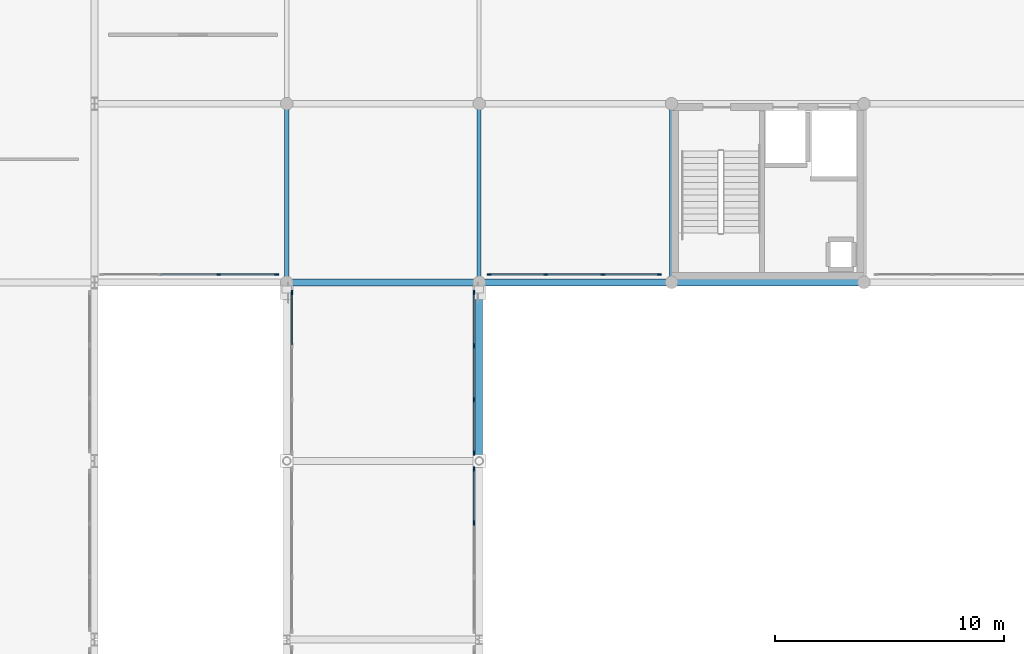
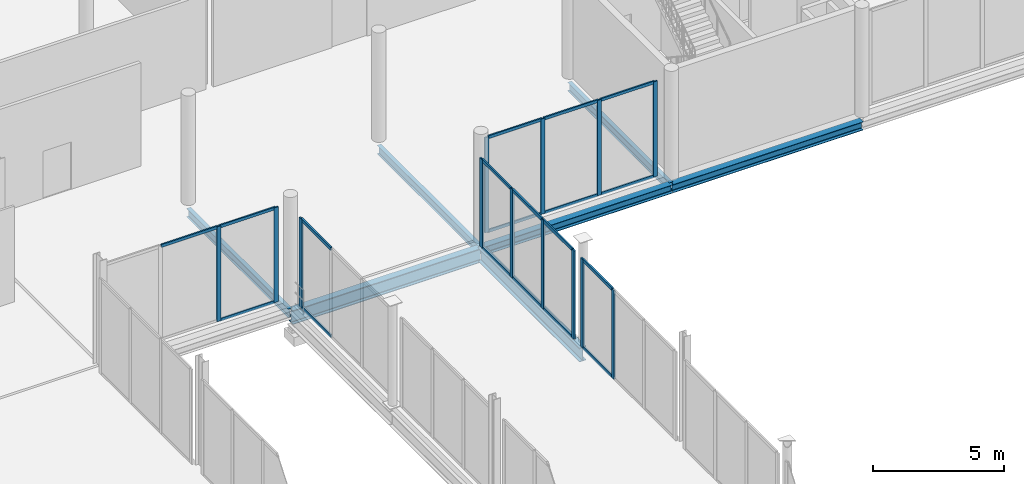
# One storey, part 47 of 105: 32 members, 7 beams, 5 elements without a shape of their own.
"""IFC4 building model written with IfcOpenShell, lengths in metres."""

from ifc_helpers import new_model, si_unit, direction, frame, origin, origin_2d, place, context, subcontext, project, spatial, rectangle, i_section, extrude, material, material_profile, profile_set, type_object, element, aggregate, save


model = new_model("IFC4")

# Units and contexts
model_context = context("Model", 3, precision=1e-05, world=origin(), true_north=direction((0.0, 1.0)))
body_context = subcontext(model_context, "Body", "Model", "MODEL_VIEW")
ifc_project = project(units=[si_unit("LENGTHUNIT", "METRE"), si_unit("AREAUNIT", "SQUARE_METRE"), si_unit("VOLUMEUNIT", "CUBIC_METRE"), si_unit("PLANEANGLEUNIT", "RADIAN"), si_unit("MASSUNIT", "GRAM", prefix="KILO")], contexts=[model_context])

# Site, building, storey
site_placement = place(None, origin())
site = spatial("IfcSite", under=ifc_project, at=site_placement, CompositionType="ELEMENT")
building_placement = place(site_placement, origin())
building = spatial("IfcBuilding", under=site, at=building_placement, Name="Nabrawat Pavilion Hospital", CompositionType="ELEMENT")
storey_placement = place(building_placement, frame((0.0, 0.0, 5.10009765625)))
storey = spatial("IfcBuildingStorey", under=building, at=storey_placement, Name="L01", CompositionType="ELEMENT", Elevation=5.10009765625)

# Beams
ifc_material_1 = material(Name="Steel S355", Category="steel")
ifc_material_profile_1 = material_profile(ifc_material_1, i_section(OverallWidth=0.300048828125, OverallDepth=0.64990234375, WebThickness=0.01611328125, FlangeThickness=0.031005859375, FilletRadius=0.027099609375, at=origin_2d()), Name="HEB 650")
ifc_profile_set_1 = profile_set([ifc_material_profile_1], Name="Steel S355")
beam_type_1 = type_object("IfcBeamType", Name="Courtyard Link Bridge Edge Girder HEB 650", PredefinedType="USERDEFINED", material=ifc_profile_set_1)
beam_1_placement = place(storey_placement, frame((67.219970703125, 85.800048828125, -0.614990234375), z_axis=(1.0, 0.0, 0.0), x_axis=(0.0, 1.0, 0.0)))
element("IfcBeam", 1, at=beam_1_placement, inside=storey, type_object=beam_type_1, Name="L01 Courtyard Link Bridge Girder 607", ObjectType="GIRDER", PredefinedType="USERDEFINED", context=body_context, shape_type="SweptSolid", body=[
    extrude(i_section(OverallWidth=0.300048828125, OverallDepth=0.64990234375, WebThickness=0.01611328125, FlangeThickness=0.031005859375, FilletRadius=0.027099609375, at=origin_2d()), origin(), (0.0, 0.0, 1.0), 8.360107421875),
])
beam_2_placement = place(storey_placement, frame((75.60009765625, 78.02001953125, -0.614990234375), z_axis=(0.0, 1.0, 0.0), x_axis=(-1.0, 0.0, 0.0)))
element("IfcBeam", 2, at=beam_2_placement, inside=storey, type_object=beam_type_1, Name="L01 Courtyard Link Bridge Edge Girder 773", ObjectType="GIRDER", PredefinedType="USERDEFINED", context=body_context, shape_type="SweptSolid", body=[
    extrude(i_section(OverallWidth=0.300048828125, OverallDepth=0.64990234375, WebThickness=0.01611328125, FlangeThickness=0.031005859375, FilletRadius=0.027099609375, at=origin_2d()), origin(), (0.0, 0.0, 1.0), 7.760009765625),
])

# Curtain wall, member
ifc_material_2 = material(Name="Anodised Aluminium", Category="aluminium")
curtain_wall_type_1 = type_object("IfcCurtainWallType", Name="Courtyard Link Bridge Glazed Curtain Wall", PredefinedType="USERDEFINED", material=ifc_material_2)
curtain_wall_1_placement = place(storey_placement, origin())
curtain_wall_1 = element("IfcCurtainWall", 3, at=curtain_wall_1_placement, inside=storey, type_object=curtain_wall_type_1, Name="L01 Courtyard Link Bridge Glazed Curtain Wall 057", ObjectType="CURTAIN WALL", PredefinedType="USERDEFINED")
ifc_material_profile_2 = material_profile(ifc_material_2, rectangle(XDim=0.070068359375, YDim=0.199951171875, at=origin_2d()), Name="CWM 70x200")
ifc_profile_set_2 = profile_set([ifc_material_profile_2], Name="Anodised Aluminium")
member_type_1 = type_object("IfcMemberType", Name="Courtyard Link Bridge Glazed Curtain Wall Mullion CWM 70x200", PredefinedType="MULLION", material=ifc_profile_set_2)
member_1_placement = place(storey_placement, frame((67.419921875, 85.35009765625, 0.0), z_axis=(0.0, 0.0, 1.0), x_axis=(-1.0, 0.0, 0.0)))
member_1 = element("IfcMember", 4, at=member_1_placement, type_object=member_type_1, Name="CW-BRG-01 mullion 4", PredefinedType="MULLION", context=body_context, shape_type="SweptSolid", body=[
    extrude(rectangle(XDim=0.070068359375, YDim=0.199951171875, at=origin_2d()), origin(), (0.0, 0.0, 1.0), 4.139892578125),
])

# Curtain wall, members
curtain_wall_2_placement = place(storey_placement, origin())
curtain_wall_2 = element("IfcCurtainWall", 5, at=curtain_wall_2_placement, inside=storey, type_object=curtain_wall_type_1, Name="L01 Courtyard Link Bridge Glazed Curtain Wall 062", ObjectType="CURTAIN WALL", PredefinedType="USERDEFINED")
member_2_placement = place(storey_placement, frame((75.3798828125, 75.301513671875, 0.0), z_axis=(0.0, 0.0, 1.0), x_axis=(-1.0, 0.0, 0.0)))
member_2 = element("IfcMember", 6, at=member_2_placement, type_object=member_type_1, Name="CW-BRG-01 mullion 3", PredefinedType="MULLION", context=body_context, shape_type="SweptSolid", body=[
    extrude(rectangle(XDim=0.070068359375, YDim=0.199951171875, at=origin_2d()), origin(), (0.0, 0.0, 1.0), 4.139892578125),
])
member_3_placement = place(storey_placement, frame((75.3798828125, 77.647216796875, 0.0), z_axis=(0.0, 0.0, 1.0), x_axis=(-1.0, 0.0, 0.0)))
member_3 = element("IfcMember", 7, at=member_3_placement, type_object=member_type_1, Name="CW-BRG-01 mullion 4", PredefinedType="MULLION", context=body_context, shape_type="SweptSolid", body=[
    extrude(rectangle(XDim=0.070068359375, YDim=0.199951171875, at=origin_2d()), origin(), (0.0, 0.0, 1.0), 4.139892578125),
])

curtain_wall_3_placement = place(storey_placement, origin())
curtain_wall_3 = element("IfcCurtainWall", 8, at=curtain_wall_3_placement, inside=storey, type_object=curtain_wall_type_1, Name="L01 Courtyard Link Bridge Glazed Curtain Wall 063", ObjectType="CURTAIN WALL", PredefinedType="USERDEFINED")
member_4_placement = place(storey_placement, frame((75.3798828125, 78.352783203125, 0.0), z_axis=(0.0, 0.0, 1.0), x_axis=(-1.0, 0.0, 0.0)))
member_4 = element("IfcMember", 9, at=member_4_placement, type_object=member_type_1, Name="CW-BRG-01 mullion 1", PredefinedType="MULLION", context=body_context, shape_type="SweptSolid", body=[
    extrude(rectangle(XDim=0.070068359375, YDim=0.199951171875, at=origin_2d()), origin(), (0.0, 0.0, 1.0), 4.139892578125),
])
member_5_placement = place(storey_placement, frame((75.3798828125, 80.673583984375, 0.0), z_axis=(0.0, 0.0, 1.0), x_axis=(-1.0, 0.0, 0.0)))
member_5 = element("IfcMember", 10, at=member_5_placement, type_object=member_type_1, Name="CW-BRG-01 mullion 2", PredefinedType="MULLION", context=body_context, shape_type="SweptSolid", body=[
    extrude(rectangle(XDim=0.070068359375, YDim=0.199951171875, at=origin_2d()), origin(), (0.0, 0.0, 1.0), 4.139892578125),
])
member_6_placement = place(storey_placement, frame((75.3798828125, 83.029296875, 0.0), z_axis=(0.0, 0.0, 1.0), x_axis=(-1.0, 0.0, 0.0)))
member_6 = element("IfcMember", 11, at=member_6_placement, type_object=member_type_1, Name="CW-BRG-01 mullion 3", PredefinedType="MULLION", context=body_context, shape_type="SweptSolid", body=[
    extrude(rectangle(XDim=0.070068359375, YDim=0.199951171875, at=origin_2d()), origin(), (0.0, 0.0, 1.0), 4.139892578125),
])
member_7_placement = place(storey_placement, frame((75.3798828125, 85.35009765625, 0.0), z_axis=(0.0, 0.0, 1.0), x_axis=(-1.0, 0.0, 0.0)))
member_7 = element("IfcMember", 12, at=member_7_placement, type_object=member_type_1, Name="CW-BRG-01 mullion 4", PredefinedType="MULLION", context=body_context, shape_type="SweptSolid", body=[
    extrude(rectangle(XDim=0.070068359375, YDim=0.199951171875, at=origin_2d()), origin(), (0.0, 0.0, 1.0), 4.139892578125),
])

# Member
ifc_material_profile_3 = material_profile(ifc_material_2, rectangle(XDim=0.070068359375, YDim=0.14990234375, at=origin_2d()), Name="CWT 70x150")
ifc_profile_set_3 = profile_set([ifc_material_profile_3], Name="Anodised Aluminium")
member_type_2 = type_object("IfcMemberType", Name="Courtyard Link Bridge Glazed Curtain Wall Transom CWT 70x150", PredefinedType="USERDEFINED", material=ifc_profile_set_3)
member_8_placement = place(storey_placement, frame((67.419921875, 83.064208984375, 0.034912109375), z_axis=(0.0, 1.0, 0.0), x_axis=(-1.0, 0.0, 0.0)))
member_8 = element("IfcMember", 13, at=member_8_placement, type_object=member_type_2, Name="CW-BRG-01 transom 3.1", ObjectType="TRANSOM", PredefinedType="USERDEFINED", context=body_context, shape_type="SweptSolid", body=[
    extrude(rectangle(XDim=0.070068359375, YDim=0.14990234375, at=origin_2d()), origin(), (0.0, 0.0, 1.0), 2.250732421875),
])

member_9_placement = place(storey_placement, frame((67.419921875, 83.064208984375, 4.10498046875), z_axis=(0.0, 1.0, 0.0), x_axis=(-1.0, 0.0, 0.0)))
member_9 = element("IfcMember", 14, at=member_9_placement, type_object=member_type_2, Name="CW-BRG-01 transom 3.2", ObjectType="TRANSOM", PredefinedType="USERDEFINED", context=body_context, shape_type="SweptSolid", body=[
    extrude(rectangle(XDim=0.070068359375, YDim=0.14990234375, at=origin_2d()), origin(), (0.0, 0.0, 1.0), 2.250732421875),
])

aggregate(curtain_wall_1, [member_1, member_8, member_9])

member_10_placement = place(storey_placement, frame((75.3798828125, 75.33642578125, 0.034912109375), z_axis=(0.0, 1.0, 0.0), x_axis=(-1.0, 0.0, 0.0)))
member_10 = element("IfcMember", 15, at=member_10_placement, type_object=member_type_2, Name="CW-BRG-01 transom 3.1", ObjectType="TRANSOM", PredefinedType="USERDEFINED", context=body_context, shape_type="SweptSolid", body=[
    extrude(rectangle(XDim=0.070068359375, YDim=0.14990234375, at=origin_2d()), origin(), (0.0, 0.0, 1.0), 2.27587890625),
])

member_11_placement = place(storey_placement, frame((75.3798828125, 75.33642578125, 4.10498046875), z_axis=(0.0, 1.0, 0.0), x_axis=(-1.0, 0.0, 0.0)))
member_11 = element("IfcMember", 16, at=member_11_placement, type_object=member_type_2, Name="CW-BRG-01 transom 3.2", ObjectType="TRANSOM", PredefinedType="USERDEFINED", context=body_context, shape_type="SweptSolid", body=[
    extrude(rectangle(XDim=0.070068359375, YDim=0.14990234375, at=origin_2d()), origin(), (0.0, 0.0, 1.0), 2.27587890625),
])

aggregate(curtain_wall_2, [member_2, member_3, member_10, member_11])

member_12_placement = place(storey_placement, frame((75.3798828125, 78.3876953125, 0.034912109375), z_axis=(0.0, 1.0, 0.0), x_axis=(-1.0, 0.0, 0.0)))
member_12 = element("IfcMember", 17, at=member_12_placement, type_object=member_type_2, Name="CW-BRG-01 transom 1.1", ObjectType="TRANSOM", PredefinedType="USERDEFINED", context=body_context, shape_type="SweptSolid", body=[
    extrude(rectangle(XDim=0.070068359375, YDim=0.14990234375, at=origin_2d()), origin(), (0.0, 0.0, 1.0), 2.250732421875),
])

member_13_placement = place(storey_placement, frame((75.3798828125, 78.3876953125, 4.10498046875), z_axis=(0.0, 1.0, 0.0), x_axis=(-1.0, 0.0, 0.0)))
member_13 = element("IfcMember", 18, at=member_13_placement, type_object=member_type_2, Name="CW-BRG-01 transom 1.2", ObjectType="TRANSOM", PredefinedType="USERDEFINED", context=body_context, shape_type="SweptSolid", body=[
    extrude(rectangle(XDim=0.070068359375, YDim=0.14990234375, at=origin_2d()), origin(), (0.0, 0.0, 1.0), 2.250732421875),
])

member_14_placement = place(storey_placement, frame((75.3798828125, 80.70849609375, 0.034912109375), z_axis=(0.0, 1.0, 0.0), x_axis=(-1.0, 0.0, 0.0)))
member_14 = element("IfcMember", 19, at=member_14_placement, type_object=member_type_2, Name="CW-BRG-01 transom 2.1", ObjectType="TRANSOM", PredefinedType="USERDEFINED", context=body_context, shape_type="SweptSolid", body=[
    extrude(rectangle(XDim=0.070068359375, YDim=0.14990234375, at=origin_2d()), origin(), (0.0, 0.0, 1.0), 2.285888671875),
])

member_15_placement = place(storey_placement, frame((75.3798828125, 80.70849609375, 4.10498046875), z_axis=(0.0, 1.0, 0.0), x_axis=(-1.0, 0.0, 0.0)))
member_15 = element("IfcMember", 20, at=member_15_placement, type_object=member_type_2, Name="CW-BRG-01 transom 2.2", ObjectType="TRANSOM", PredefinedType="USERDEFINED", context=body_context, shape_type="SweptSolid", body=[
    extrude(rectangle(XDim=0.070068359375, YDim=0.14990234375, at=origin_2d()), origin(), (0.0, 0.0, 1.0), 2.285888671875),
])

member_16_placement = place(storey_placement, frame((75.3798828125, 83.064208984375, 0.034912109375), z_axis=(0.0, 1.0, 0.0), x_axis=(-1.0, 0.0, 0.0)))
member_16 = element("IfcMember", 21, at=member_16_placement, type_object=member_type_2, Name="CW-BRG-01 transom 3.1", ObjectType="TRANSOM", PredefinedType="USERDEFINED", context=body_context, shape_type="SweptSolid", body=[
    extrude(rectangle(XDim=0.070068359375, YDim=0.14990234375, at=origin_2d()), origin(), (0.0, 0.0, 1.0), 2.250732421875),
])

member_17_placement = place(storey_placement, frame((75.3798828125, 83.064208984375, 4.10498046875), z_axis=(0.0, 1.0, 0.0), x_axis=(-1.0, 0.0, 0.0)))
member_17 = element("IfcMember", 22, at=member_17_placement, type_object=member_type_2, Name="CW-BRG-01 transom 3.2", ObjectType="TRANSOM", PredefinedType="USERDEFINED", context=body_context, shape_type="SweptSolid", body=[
    extrude(rectangle(XDim=0.070068359375, YDim=0.14990234375, at=origin_2d()), origin(), (0.0, 0.0, 1.0), 2.250732421875),
])

aggregate(curtain_wall_3, [member_4, member_5, member_6, member_7, member_12, member_13, member_14, member_15, member_16, member_17])

# Curtain wall, members
curtain_wall_type_2 = type_object("IfcCurtainWallType", Name="Healing Garden Cloister Curtain Wall", PredefinedType="USERDEFINED", material=ifc_material_2)
curtain_wall_4_placement = place(storey_placement, origin())
curtain_wall_4 = element("IfcCurtainWall", 23, at=curtain_wall_4_placement, inside=storey, type_object=curtain_wall_type_2, Name="L01 Healing Garden Cloister Curtain Wall 050", ObjectType="CURTAIN WALL", PredefinedType="USERDEFINED")
ifc_material_profile_4 = material_profile(ifc_material_2, rectangle(XDim=0.06494140625, YDim=0.179931640625, at=origin_2d()), Name="CWM 65x180")
ifc_profile_set_4 = profile_set([ifc_material_profile_4], Name="Anodised Aluminium")
member_type_3 = type_object("IfcMemberType", Name="Healing Garden Cloister Curtain Wall Mullion CWM 65x180", PredefinedType="MULLION", material=ifc_profile_set_4)
member_18_placement = place(storey_placement, frame((64.219970703125, 86.139892578125, 0.0), z_axis=(0.0, 0.0, 1.0), x_axis=(0.0, 1.0, 0.0)))
member_18 = element("IfcMember", 24, at=member_18_placement, type_object=member_type_3, Name="CW-CLN-01 mullion 3", PredefinedType="MULLION", context=body_context, shape_type="SweptSolid", body=[
    extrude(rectangle(XDim=0.06494140625, YDim=0.179931640625, at=origin_2d()), origin(), (0.0, 0.0, 1.0), 4.419921875),
])
member_19_placement = place(storey_placement, frame((66.75244140625, 86.139892578125, 0.0), z_axis=(0.0, 0.0, 1.0), x_axis=(0.0, 1.0, 0.0)))
member_19 = element("IfcMember", 25, at=member_19_placement, type_object=member_type_3, Name="CW-CLN-01 mullion 4", PredefinedType="MULLION", context=body_context, shape_type="SweptSolid", body=[
    extrude(rectangle(XDim=0.06494140625, YDim=0.179931640625, at=origin_2d()), origin(), (0.0, 0.0, 1.0), 4.419921875),
])

curtain_wall_5_placement = place(storey_placement, origin())
curtain_wall_5 = element("IfcCurtainWall", 26, at=curtain_wall_5_placement, inside=storey, type_object=curtain_wall_type_2, Name="L01 Healing Garden Cloister Curtain Wall 068", ObjectType="CURTAIN WALL", PredefinedType="USERDEFINED")
member_20_placement = place(storey_placement, frame((76.047607421875, 86.139892578125, 0.0), z_axis=(0.0, 0.0, 1.0), x_axis=(0.0, 1.0, 0.0)))
member_20 = element("IfcMember", 27, at=member_20_placement, type_object=member_type_3, Name="CW-CLN-01 mullion 1", PredefinedType="MULLION", context=body_context, shape_type="SweptSolid", body=[
    extrude(rectangle(XDim=0.06494140625, YDim=0.179931640625, at=origin_2d()), origin(), (0.0, 0.0, 1.0), 4.43994140625),
])
member_21_placement = place(storey_placement, frame((78.510009765625, 86.139892578125, 0.0), z_axis=(0.0, 0.0, 1.0), x_axis=(0.0, 1.0, 0.0)))
member_21 = element("IfcMember", 28, at=member_21_placement, type_object=member_type_3, Name="CW-CLN-01 mullion 2", PredefinedType="MULLION", context=body_context, shape_type="SweptSolid", body=[
    extrude(rectangle(XDim=0.06494140625, YDim=0.179931640625, at=origin_2d()), origin(), (0.0, 0.0, 1.0), 4.43994140625),
])
member_22_placement = place(storey_placement, frame((81.0048828125, 86.139892578125, 0.0), z_axis=(0.0, 0.0, 1.0), x_axis=(0.0, 1.0, 0.0)))
member_22 = element("IfcMember", 29, at=member_22_placement, type_object=member_type_3, Name="CW-CLN-01 mullion 3", PredefinedType="MULLION", context=body_context, shape_type="SweptSolid", body=[
    extrude(rectangle(XDim=0.06494140625, YDim=0.179931640625, at=origin_2d()), origin(), (0.0, 0.0, 1.0), 4.43994140625),
])
member_23_placement = place(storey_placement, frame((83.467529296875, 86.139892578125, 0.0), z_axis=(0.0, 0.0, 1.0), x_axis=(0.0, 1.0, 0.0)))
member_23 = element("IfcMember", 30, at=member_23_placement, type_object=member_type_3, Name="CW-CLN-01 mullion 4", PredefinedType="MULLION", context=body_context, shape_type="SweptSolid", body=[
    extrude(rectangle(XDim=0.06494140625, YDim=0.179931640625, at=origin_2d()), origin(), (0.0, 0.0, 1.0), 4.43994140625),
])

# Member
ifc_material_profile_5 = material_profile(ifc_material_2, rectangle(XDim=0.06494140625, YDim=0.135009765625, at=origin_2d()), Name="CWT 65x135")
ifc_profile_set_5 = profile_set([ifc_material_profile_5], Name="Anodised Aluminium")
member_type_4 = type_object("IfcMemberType", Name="Healing Garden Cloister Curtain Wall Transom CWT 65x135", PredefinedType="USERDEFINED", material=ifc_profile_set_5)
member_24_placement = place(storey_placement, frame((61.6875, 86.139892578125, 4.387451171875), z_axis=(1.0, 0.0, 0.0), x_axis=(0.0, 1.0, 0.0)))
member_24 = element("IfcMember", 31, at=member_24_placement, type_object=member_type_4, Name="CW-CLN-01 transom 2.2", ObjectType="TRANSOM", PredefinedType="USERDEFINED", context=body_context, shape_type="SweptSolid", body=[
    extrude(rectangle(XDim=0.06494140625, YDim=0.135009765625, at=origin_2d()), origin(), (0.0, 0.0, 1.0), 2.5),
])

member_25_placement = place(storey_placement, frame((64.25244140625, 86.139892578125, 0.032470703125), z_axis=(1.0, 0.0, 0.0), x_axis=(0.0, 1.0, 0.0)))
member_25 = element("IfcMember", 32, at=member_25_placement, type_object=member_type_4, Name="CW-CLN-01 transom 3.1", ObjectType="TRANSOM", PredefinedType="USERDEFINED", context=body_context, shape_type="SweptSolid", body=[
    extrude(rectangle(XDim=0.06494140625, YDim=0.135009765625, at=origin_2d()), origin(), (0.0, 0.0, 1.0), 2.467529296875),
])

member_26_placement = place(storey_placement, frame((64.25244140625, 86.139892578125, 4.387451171875), z_axis=(1.0, 0.0, 0.0), x_axis=(0.0, 1.0, 0.0)))
member_26 = element("IfcMember", 33, at=member_26_placement, type_object=member_type_4, Name="CW-CLN-01 transom 3.2", ObjectType="TRANSOM", PredefinedType="USERDEFINED", context=body_context, shape_type="SweptSolid", body=[
    extrude(rectangle(XDim=0.06494140625, YDim=0.135009765625, at=origin_2d()), origin(), (0.0, 0.0, 1.0), 2.467529296875),
])

aggregate(curtain_wall_4, [member_18, member_19, member_24, member_25, member_26])

member_27_placement = place(storey_placement, frame((76.080078125, 86.139892578125, 0.032470703125), z_axis=(1.0, 0.0, 0.0), x_axis=(0.0, 1.0, 0.0)))
member_27 = element("IfcMember", 34, at=member_27_placement, type_object=member_type_4, Name="CW-CLN-01 transom 1.1", ObjectType="TRANSOM", PredefinedType="USERDEFINED", context=body_context, shape_type="SweptSolid", body=[
    extrude(rectangle(XDim=0.06494140625, YDim=0.135009765625, at=origin_2d()), origin(), (0.0, 0.0, 1.0), 2.3974609375),
])

member_28_placement = place(storey_placement, frame((76.080078125, 86.139892578125, 4.407470703125), z_axis=(1.0, 0.0, 0.0), x_axis=(0.0, 1.0, 0.0)))
member_28 = element("IfcMember", 35, at=member_28_placement, type_object=member_type_4, Name="CW-CLN-01 transom 1.2", ObjectType="TRANSOM", PredefinedType="USERDEFINED", context=body_context, shape_type="SweptSolid", body=[
    extrude(rectangle(XDim=0.06494140625, YDim=0.135009765625, at=origin_2d()), origin(), (0.0, 0.0, 1.0), 2.3974609375),
])

member_29_placement = place(storey_placement, frame((78.54248046875, 86.139892578125, 0.032470703125), z_axis=(1.0, 0.0, 0.0), x_axis=(0.0, 1.0, 0.0)))
member_29 = element("IfcMember", 36, at=member_29_placement, type_object=member_type_4, Name="CW-CLN-01 transom 2.1", ObjectType="TRANSOM", PredefinedType="USERDEFINED", context=body_context, shape_type="SweptSolid", body=[
    extrude(rectangle(XDim=0.06494140625, YDim=0.135009765625, at=origin_2d()), origin(), (0.0, 0.0, 1.0), 2.429931640625),
])

member_30_placement = place(storey_placement, frame((78.54248046875, 86.139892578125, 4.407470703125), z_axis=(1.0, 0.0, 0.0), x_axis=(0.0, 1.0, 0.0)))
member_30 = element("IfcMember", 37, at=member_30_placement, type_object=member_type_4, Name="CW-CLN-01 transom 2.2", ObjectType="TRANSOM", PredefinedType="USERDEFINED", context=body_context, shape_type="SweptSolid", body=[
    extrude(rectangle(XDim=0.06494140625, YDim=0.135009765625, at=origin_2d()), origin(), (0.0, 0.0, 1.0), 2.429931640625),
])

member_31_placement = place(storey_placement, frame((81.03759765625, 86.139892578125, 0.032470703125), z_axis=(1.0, 0.0, 0.0), x_axis=(0.0, 1.0, 0.0)))
member_31 = element("IfcMember", 38, at=member_31_placement, type_object=member_type_4, Name="CW-CLN-01 transom 3.1", ObjectType="TRANSOM", PredefinedType="USERDEFINED", context=body_context, shape_type="SweptSolid", body=[
    extrude(rectangle(XDim=0.06494140625, YDim=0.135009765625, at=origin_2d()), origin(), (0.0, 0.0, 1.0), 2.3974609375),
])

member_32_placement = place(storey_placement, frame((81.03759765625, 86.139892578125, 4.407470703125), z_axis=(1.0, 0.0, 0.0), x_axis=(0.0, 1.0, 0.0)))
member_32 = element("IfcMember", 39, at=member_32_placement, type_object=member_type_4, Name="CW-CLN-01 transom 3.2", ObjectType="TRANSOM", PredefinedType="USERDEFINED", context=body_context, shape_type="SweptSolid", body=[
    extrude(rectangle(XDim=0.06494140625, YDim=0.135009765625, at=origin_2d()), origin(), (0.0, 0.0, 1.0), 2.3974609375),
])

aggregate(curtain_wall_5, [member_20, member_21, member_22, member_23, member_27, member_28, member_29, member_30, member_31, member_32])

# Beams
ifc_material_profile_6 = material_profile(ifc_material_1, i_section(OverallWidth=0.300048828125, OverallDepth=0.389892578125, WebThickness=0.010986328125, FlangeThickness=0.01904296875, FilletRadius=0.027099609375, at=origin_2d()), Name="HEA 400")
ifc_profile_set_6 = profile_set([ifc_material_profile_6], Name="Steel S355")
beam_type_2 = type_object("IfcBeamType", Name="Perimeter Moment Spandrel Beam HEA 400", PredefinedType="SPANDREL", material=ifc_profile_set_6)
for number, where, z_axis, x_axis, name in (
    (40, (75.6201171875, 85.800048828125, -0.47509765625), (1.0, 0.0, 0.0), (0.0, 1.0, 0.0), "L01 Primary X Girder 608"),
    (41, (84.02001953125, 85.800048828125, -0.47509765625), (1.0, 0.0, 0.0), (0.0, 1.0, 0.0), "L01 Primary X Girder 609"),
):
    element("IfcBeam", number, at=place(storey_placement, frame(where, z_axis=z_axis, x_axis=x_axis)), inside=storey, type_object=beam_type_2, Name=name, PredefinedType="SPANDREL", context=body_context, shape_type="SweptSolid", body=[
        extrude(i_section(OverallWidth=0.300048828125, OverallDepth=0.389892578125, WebThickness=0.010986328125, FlangeThickness=0.01904296875, FilletRadius=0.027099609375, at=origin_2d()), origin(), (0.0, 0.0, 1.0), 8.35986328125),
    ])
ifc_material_profile_7 = material_profile(ifc_material_1, i_section(OverallWidth=0.179931640625, OverallDepth=0.39990234375, WebThickness=0.008544921875, FlangeThickness=0.013427734375, FilletRadius=0.02099609375, at=origin_2d()), Name="IPE 400")
ifc_profile_set_7 = profile_set([ifc_material_profile_7], Name="Steel S355")
beam_type_3 = type_object("IfcBeamType", Name="Standard Y Floor Beam IPE 400", PredefinedType="BEAM", material=ifc_profile_set_7)
for number, where, z_axis, x_axis, name in (
    (42, (67.199951171875, 85.820068359375, -0.47998046875), (0.0, 1.0, 0.0), (-1.0, 0.0, 0.0), "L01 Primary Y Beam 765"),
    (43, (75.60009765625, 85.820068359375, -0.47998046875), (0.0, 1.0, 0.0), (-1.0, 0.0, 0.0), "L01 Primary Y Beam 774"),
    (44, (84.0, 85.820068359375, -0.47998046875), (0.0, 1.0, 0.0), (-1.0, 0.0, 0.0), "L01 Primary Y Beam 778"),
):
    element("IfcBeam", number, at=place(storey_placement, frame(where, z_axis=z_axis, x_axis=x_axis)), inside=storey, type_object=beam_type_3, Name=name, PredefinedType="BEAM", context=body_context, shape_type="SweptSolid", body=[
        extrude(i_section(OverallWidth=0.179931640625, OverallDepth=0.39990234375, WebThickness=0.008544921875, FlangeThickness=0.013427734375, FilletRadius=0.02099609375, at=origin_2d()), origin(), (0.0, 0.0, 1.0), 7.760009765625),
    ])

save(model, "model.ifc")
